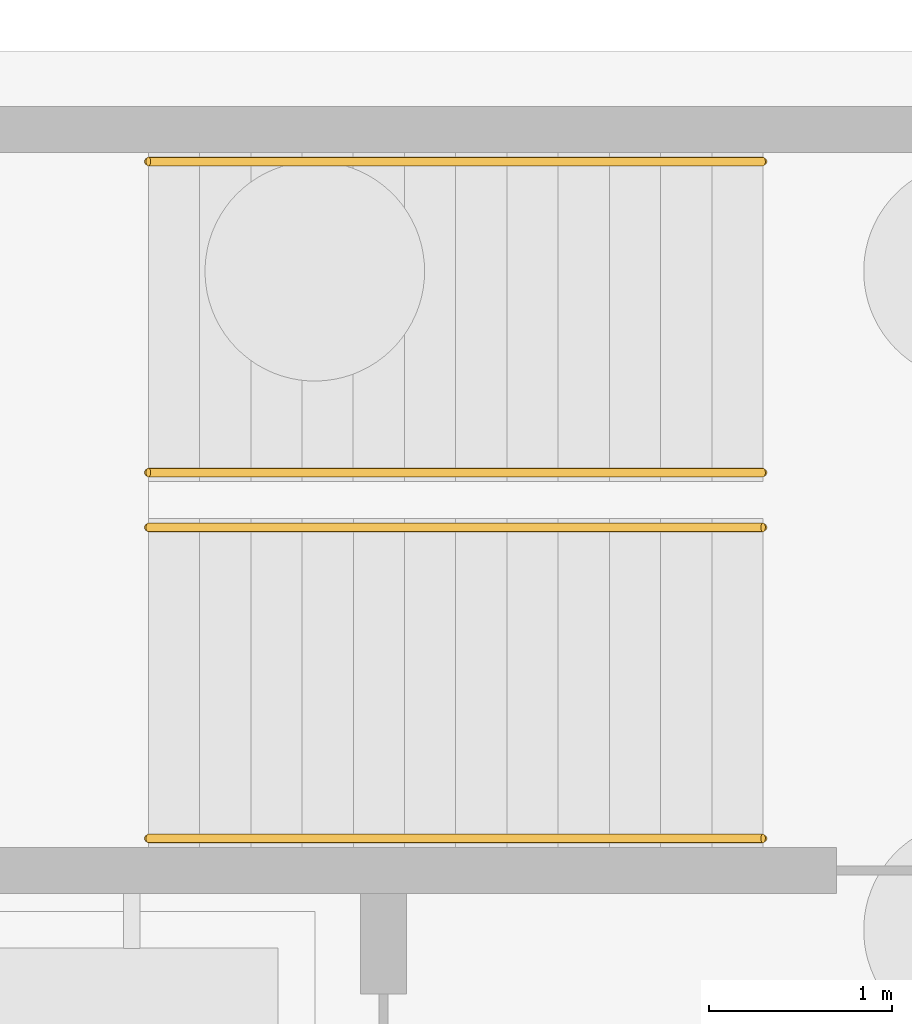
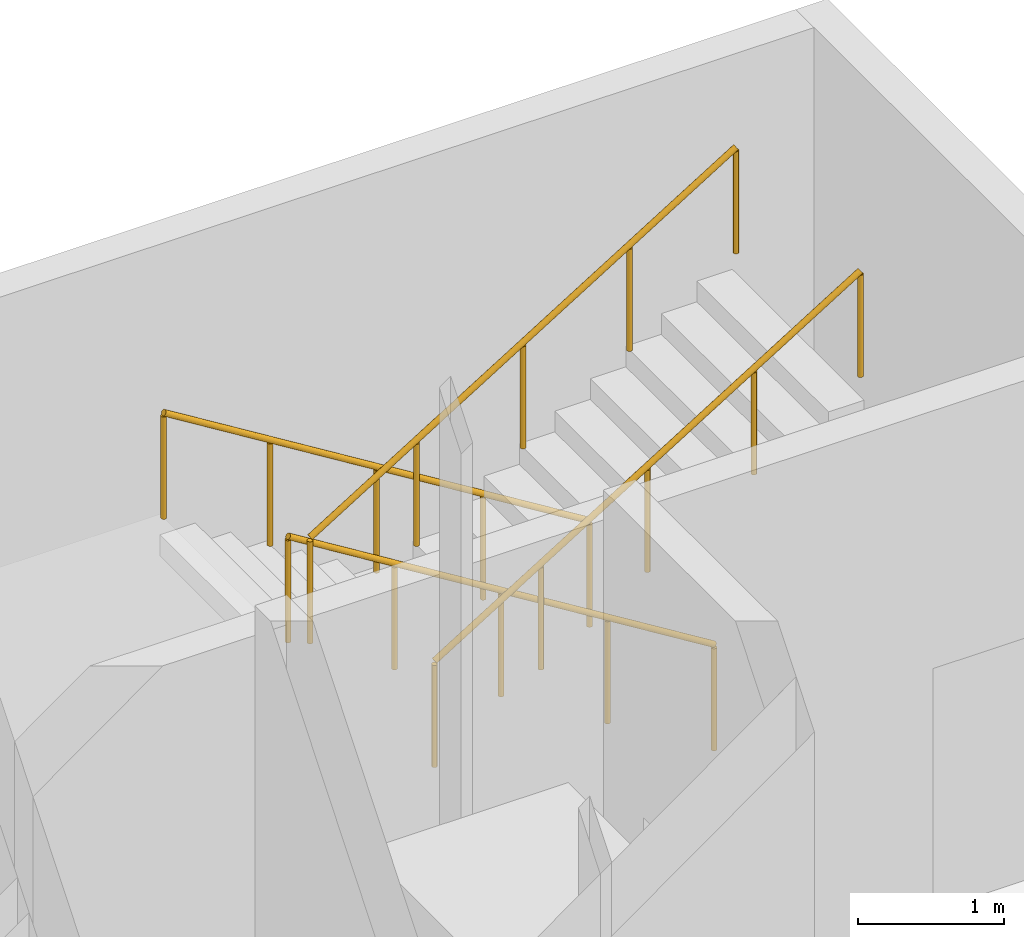
# One storey, part 39 of 41: 4 railings.
"""IFC4 building model written with IfcOpenShell, lengths in metres."""

from ifc_helpers import new_model, si_unit, direction, frame, origin, origin_2d, place, context, subcontext, project, spatial, circle, extrude, material, type_object, element, save


model = new_model("IFC4")

# Units and contexts
model_context = context("Model", 3, precision=1e-05, world=origin(), true_north=direction((0.0, 1.0)))
body_context = subcontext(model_context, "Body", "Model", "MODEL_VIEW")
ifc_project = project(units=[si_unit("LENGTHUNIT", "METRE"), si_unit("AREAUNIT", "SQUARE_METRE"), si_unit("VOLUMEUNIT", "CUBIC_METRE"), si_unit("PLANEANGLEUNIT", "RADIAN"), si_unit("MASSUNIT", "GRAM", prefix="KILO")], contexts=[model_context])

# Site, building, storey
site_placement = place(None, origin())
site = spatial("IfcSite", under=ifc_project, at=site_placement, CompositionType="ELEMENT")
building_placement = place(site_placement, origin())
building = spatial("IfcBuilding", under=site, at=building_placement, Name="Corbel Yard City Hall", CompositionType="ELEMENT")
storey_placement = place(building_placement, frame((0.0, 0.0, -4.5)))
storey = spatial("IfcBuildingStorey", under=building, at=storey_placement, Name="B1", CompositionType="ELEMENT", Elevation=-4.5)

# Railings
ifc_material = material(Name="Stainless steel Grade 316", Category="steel")
railing_type = type_object("IfcRailingType", Name="HR1", PredefinedType="HANDRAIL", material=ifc_material)
for number, where, name in (
    (1, (177.949951171875, 116.699951171875, 0.173095703125), "Exit stair handrail"),
    (2, (177.949951171875, 115.0, 0.173095703125), "Exit stair handrail"),
):
    element("IfcRailing", number, at=place(storey_placement, frame(where)), inside=storey, type_object=railing_type, Name=name, PredefinedType="HANDRAIL", context=body_context, shape_type="SweptSolid", body=[
        extrude(circle(Radius=0.02392578125, at=origin_2d()), frame((0.0, 0.0, 0.8759765625), z_axis=(-0.850606129759, 0.0, 0.525803396734), x_axis=(0.0, -1.0, 0.0)), (0.0, 0.0, 1.0), 3.949951171875),
        extrude(circle(Radius=0.02099609375, at=origin_2d()), origin(), (0.0, 0.0, 1.0), 0.851806640625),
        extrude(circle(Radius=0.02099609375, at=origin_2d()), frame((-0.83984375, 0.0, 0.519287109375)), (0.0, 0.0, 1.0), 0.851806640625),
        extrude(circle(Radius=0.02099609375, at=origin_2d()), frame((-1.679931640625, 0.0, 1.03857421875)), (0.0, 0.0, 1.0), 0.851806640625),
        extrude(circle(Radius=0.02099609375, at=origin_2d()), frame((-2.52001953125, 0.0, 1.5576171875)), (0.0, 0.0, 1.0), 0.851806640625),
        extrude(circle(Radius=0.02099609375, at=origin_2d()), frame((-3.35986328125, 0.0, 2.076904296875)), (0.0, 0.0, 1.0), 0.851806640625),
    ])
for number, where, name in (
    (3, (174.590087890625, 114.699951171875, 2.423095703125), "Exit stair handrail"),
    (4, (174.590087890625, 113.0, 2.423095703125), "Exit stair handrail"),
):
    element("IfcRailing", number, at=place(storey_placement, frame(where)), inside=storey, type_object=railing_type, Name=name, PredefinedType="HANDRAIL", context=body_context, shape_type="SweptSolid", body=[
        extrude(circle(Radius=0.02392578125, at=origin_2d()), frame((0.0, 0.0, 0.8759765625), z_axis=(0.850606129759, 0.0, 0.525803396734), x_axis=(0.0, 1.0, 0.0)), (0.0, 0.0, 1.0), 3.949951171875),
        extrude(circle(Radius=0.02099609375, at=origin_2d()), origin(), (0.0, 0.0, 1.0), 0.851806640625),
        extrude(circle(Radius=0.02099609375, at=origin_2d()), frame((0.83984375, 0.0, 0.519287109375)), (0.0, 0.0, 1.0), 0.851806640625),
        extrude(circle(Radius=0.02099609375, at=origin_2d()), frame((1.679931640625, 0.0, 1.03857421875)), (0.0, 0.0, 1.0), 0.851806640625),
        extrude(circle(Radius=0.02099609375, at=origin_2d()), frame((2.52001953125, 0.0, 1.5576171875)), (0.0, 0.0, 1.0), 0.851806640625),
        extrude(circle(Radius=0.02099609375, at=origin_2d()), frame((3.35986328125, 0.0, 2.076904296875)), (0.0, 0.0, 1.0), 0.851806640625),
    ])

save(model, "model.ifc")
